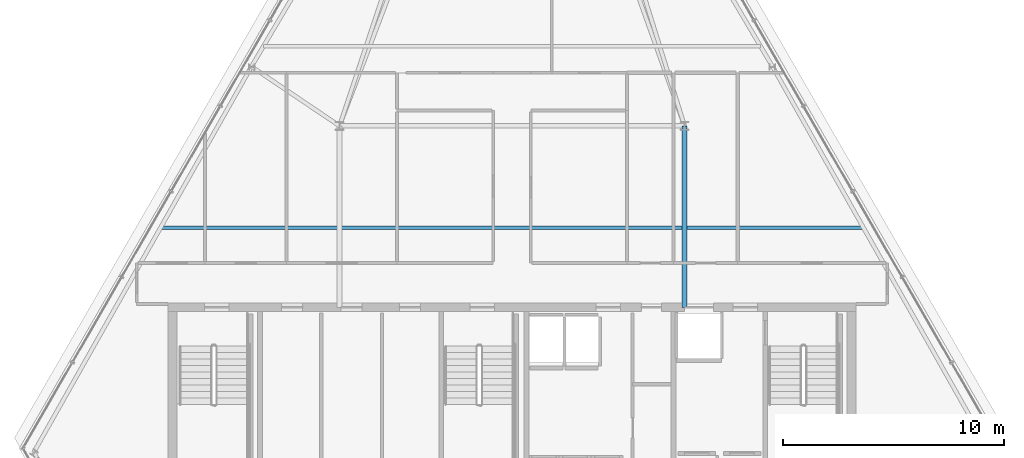
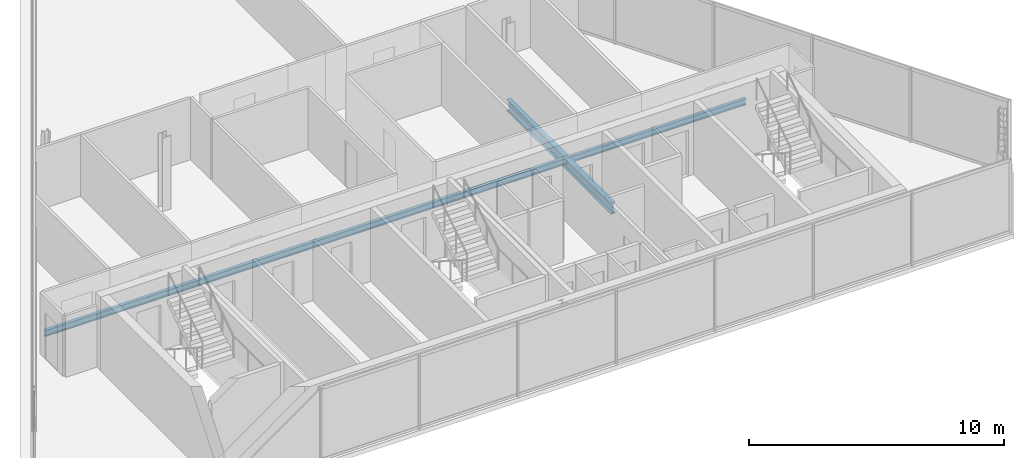
# One storey, part 10 of 32: 2 beams.
"""IFC4 building model written with IfcOpenShell, lengths in metres."""

from ifc_helpers import new_model, si_unit, direction, frame, origin, origin_2d, place, context, subcontext, project, spatial, i_section, extrude, material, material_profile, profile_set, type_object, element, save


model = new_model("IFC4")

# Units and contexts
model_context = context("Model", 3, precision=1e-05, world=origin(), true_north=direction((0.0, 1.0)))
body_context = subcontext(model_context, "Body", "Model", "MODEL_VIEW")
ifc_project = project(units=[si_unit("LENGTHUNIT", "METRE"), si_unit("AREAUNIT", "SQUARE_METRE"), si_unit("VOLUMEUNIT", "CUBIC_METRE"), si_unit("PLANEANGLEUNIT", "RADIAN"), si_unit("MASSUNIT", "GRAM", prefix="KILO")], contexts=[model_context])

# Site, building, storey
site_placement = place(None, origin())
site = spatial("IfcSite", under=ifc_project, at=site_placement, CompositionType="ELEMENT")
building_placement = place(site_placement, origin())
building = spatial("IfcBuilding", under=site, at=building_placement, Name="Ndaravel Arena Tower", CompositionType="ELEMENT")
storey_placement = place(building_placement, frame((0.0, 0.0, 294.699951171875)))
storey = spatial("IfcBuildingStorey", under=building, at=storey_placement, Name="L72", CompositionType="ELEMENT", Elevation=294.699951171875)

# Beams
ifc_material_1 = material(Name="Steel S355", Category="steel")
ifc_material_profile_1 = material_profile(ifc_material_1, i_section(OverallWidth=0.210693359375, OverallDepth=0.53955078125, WebThickness=0.01171875, FlangeThickness=0.018798828125, FilletRadius=0.0126953125, at=origin_2d()), Name="UB 533x210x109")
ifc_profile_set_1 = profile_set([ifc_material_profile_1], Name="Steel S355")
beam_type_1 = type_object("IfcBeamType", Name="BM-GIRD-UB533", PredefinedType="BEAM", material=ifc_profile_set_1)
beam_1_placement = place(storey_placement, frame((49.800048828125, 14.97998046875, -0.48974609375), z_axis=(0.0, 1.0, 0.0), x_axis=(-1.0, 0.0, 0.0)))
element("IfcBeam", 1, at=beam_1_placement, inside=storey, type_object=beam_type_1, Name="L72 Spine Link Girder SLG-02", PredefinedType="BEAM", context=body_context, shape_type="SweptSolid", body=[
    extrude(i_section(OverallWidth=0.210693359375, OverallDepth=0.53955078125, WebThickness=0.01171875, FlangeThickness=0.018798828125, FilletRadius=0.0126953125, at=origin_2d()), origin(), (0.0, 0.0, 1.0), 8.219970703125),
])
ifc_material_2 = material(Name="Steel S355", Category="steel")
ifc_material_profile_2 = material_profile(ifc_material_2, i_section(OverallWidth=0.14990234375, OverallDepth=0.300048828125, WebThickness=0.007080078125, FlangeThickness=0.0107421875, FilletRadius=0.014892578125, at=origin_2d()), Name="IPE 300")
ifc_profile_set_2 = profile_set([ifc_material_profile_2], Name="Steel S355")
beam_type_2 = type_object("IfcBeamType", Name="BM-JOIST-IPE300", PredefinedType="JOIST", material=ifc_profile_set_2)
beam_2_placement = place(storey_placement, frame((26.11328125, 18.60009765625, -0.369873046875), z_axis=(1.0, 0.0, 0.0), x_axis=(0.0, 1.0, 0.0)))
element("IfcBeam", 2, at=beam_2_placement, inside=storey, type_object=beam_type_2, Name="L72 Composite Floor Joist FJ-01", PredefinedType="JOIST", context=body_context, shape_type="SweptSolid", body=[
    extrude(i_section(OverallWidth=0.14990234375, OverallDepth=0.300048828125, WebThickness=0.007080078125, FlangeThickness=0.0107421875, FilletRadius=0.014892578125, at=origin_2d()), origin(), (0.0, 0.0, 1.0), 31.7734375),
])

save(model, "model.ifc")
